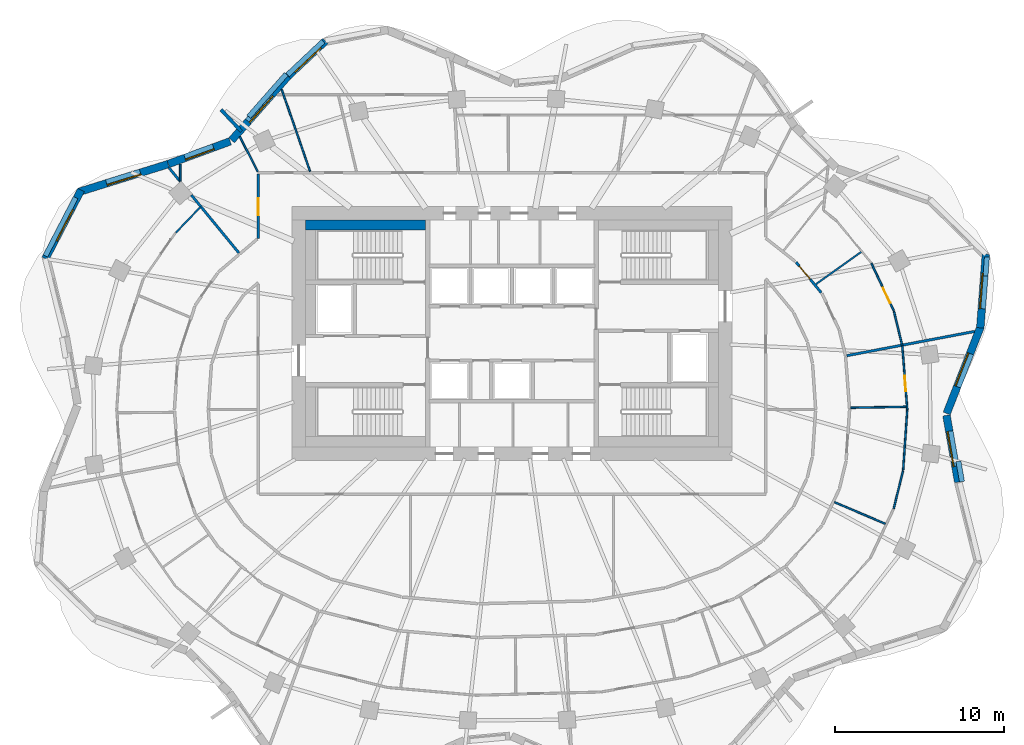
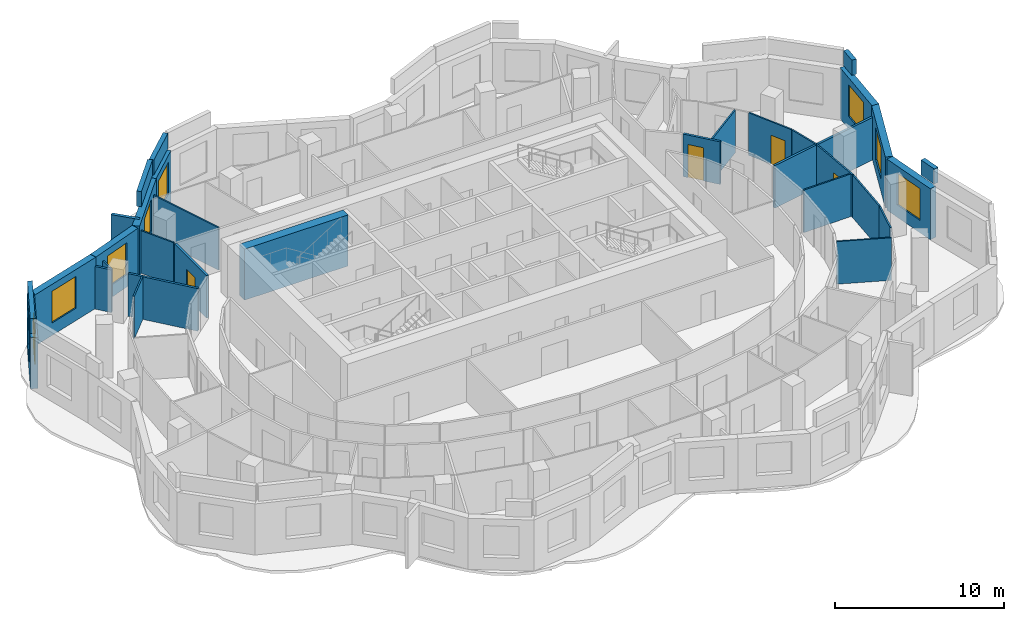
# One storey, part 8 of 11: 32 walls, 8 windows, 4 doors, 12 openings.
"""IFC4 building model written with IfcOpenShell, lengths in metres."""

from ifc_helpers import new_model, si_unit, direction, frame, frame_2d, origin, place, context, subcontext, project, spatial, rectangle, extrude, material, layer, layer_set, type_object, element, fill, save


model = new_model("IFC4")

# Units and contexts
model_context = context("Model", 3, precision=1e-05, world=origin(), true_north=direction((0.0, 1.0)))
body_context = subcontext(model_context, "Body", "Model", "MODEL_VIEW")
ifc_project = project(units=[si_unit("LENGTHUNIT", "METRE"), si_unit("AREAUNIT", "SQUARE_METRE"), si_unit("VOLUMEUNIT", "CUBIC_METRE"), si_unit("PLANEANGLEUNIT", "RADIAN"), si_unit("MASSUNIT", "GRAM", prefix="KILO")], contexts=[model_context])

# Site, building, storey
site_placement = place(None, origin())
site = spatial("IfcSite", under=ifc_project, at=site_placement, CompositionType="ELEMENT")
building_placement = place(site_placement, origin())
building = spatial("IfcBuilding", under=site, at=building_placement, Name="Rubra Terraces Tower", CompositionType="ELEMENT")
storey_placement = place(building_placement, frame((0.0, 0.0, 197.39990234375)))
storey = spatial("IfcBuildingStorey", under=building, at=storey_placement, Name="L48", CompositionType="ELEMENT", Elevation=197.39990234375)

# Wall, opening, window
ifc_material_1 = material(Name="Brick masonry red-brown", Category="masonry")
ifc_layer_1 = layer(ifc_material_1, 0.449951171875)
ifc_layer_set_1 = layer_set([ifc_layer_1], Name="Brick masonry red-brown")
wall_type_1 = type_object("IfcWallType", Name="Brick facade wall 450", PredefinedType="SOLIDWALL", material=ifc_layer_set_1)
wall_1_placement = place(storey_placement, frame((25.68701171875, -0.226318359375, 0.0), z_axis=(0.0, 0.0, 1.0), x_axis=(0.363500194409, 0.931594122279, 0.0)))
wall_1 = element("IfcWall", 1, at=wall_1_placement, inside=storey, type_object=wall_type_1, Name="Facade wall L48 bay 1", PredefinedType="SOLIDWALL", context=body_context, shape_type="SweptSolid", body=[
    extrude(rectangle(XDim=5.498779296875, YDim=0.449951171875, at=frame_2d((2.74951171875, 0.0))), origin(), (0.0, 0.0, 1.0), 3.7001953125),
])
opening_1_placement = place(wall_1_placement, frame((1.69921875, 0.0, 0.89990234375)))
opening_1 = element("IfcOpeningElement", 2, at=opening_1_placement, cuts=wall_1, Name="Opening W1B", PredefinedType="OPENING", context=body_context, shape_type="SweptSolid", body=[
    extrude(rectangle(XDim=2.10009765625, YDim=2.300048828125, at=frame_2d((1.050048828125, 1.14990234375))), frame((0.0, 0.23486328125, 0.0), z_axis=(0.0, -1.0, 0.0), x_axis=(1.0, 0.0, 0.0)), (0.0, 0.0, 1.0), 0.469970703125),
])
ifc_material_2 = material(Name="Clear glass in aluminium frame", Category="aluminium")
window_type_1 = type_object("IfcWindowType", Name="Fixed deep-set window tall storey 2100 x 2300", PartitioningType="SINGLE_PANEL", PredefinedType="WINDOW", material=ifc_material_2)
window_1_placement = place(opening_1_placement, origin())
window_1 = element("IfcWindow", 3, at=window_1_placement, inside=storey, type_object=window_type_1, Name="Window L48 bay 1", OverallHeight=2.300048828125, OverallWidth=2.10009765625, PartitioningType="SINGLE_PANEL", PredefinedType="WINDOW", context=body_context, shape_type="SweptSolid", body=[
    extrude(rectangle(XDim=2.10009765625, YDim=2.300048828125, at=frame_2d((1.050048828125, 1.14990234375))), frame((0.0, 0.135009765625, 0.0), z_axis=(0.0, -1.0, 0.0), x_axis=(1.0, 0.0, 0.0)), (0.0, 0.0, 1.0), 0.06005859375),
])
fill(opening_1, window_1)

wall_2_placement = place(storey_placement, frame((27.671142578125, 4.831298828125, 0.0), z_axis=(0.0, 0.0, 1.0), x_axis=(0.075658122047, 0.997133816781, 0.0)))
wall_2 = element("IfcWall", 4, at=wall_2_placement, inside=storey, type_object=wall_type_1, Name="Facade wall L48 bay 2", PredefinedType="SOLIDWALL", context=body_context, shape_type="SweptSolid", body=[
    extrude(rectangle(XDim=4.369140625, YDim=0.449951171875, at=frame_2d((2.1845703125, 0.0))), origin(), (0.0, 0.0, 1.0), 3.7001953125),
])
opening_2_placement = place(wall_2_placement, frame((1.134521484375, 0.0, 0.89990234375)))
opening_2 = element("IfcOpeningElement", 5, at=opening_2_placement, cuts=wall_2, Name="Opening W1B", PredefinedType="OPENING", context=body_context, shape_type="SweptSolid", body=[
    extrude(rectangle(XDim=2.10009765625, YDim=2.300048828125, at=frame_2d((1.050048828125, 1.14990234375))), frame((0.0, 0.23486328125, 0.0), z_axis=(0.0, -1.0, 0.0), x_axis=(1.0, 0.0, 0.0)), (0.0, 0.0, 1.0), 0.469970703125),
])
window_2_placement = place(opening_2_placement, origin())
window_2 = element("IfcWindow", 6, at=window_2_placement, inside=storey, type_object=window_type_1, Name="Window L48 bay 2", OverallHeight=2.300048828125, OverallWidth=2.10009765625, PartitioningType="SINGLE_PANEL", PredefinedType="WINDOW", context=body_context, shape_type="SweptSolid", body=[
    extrude(rectangle(XDim=2.10009765625, YDim=2.300048828125, at=frame_2d((1.050048828125, 1.14990234375))), frame((0.0, 0.135009765625, 0.0), z_axis=(0.0, -1.0, 0.0), x_axis=(1.0, 0.0, 0.0)), (0.0, 0.0, 1.0), 0.06005859375),
])
fill(opening_2, window_2)

wall_3_placement = place(storey_placement, frame((-11.027099609375, 21.779052734375, 0.0), z_axis=(0.0, 0.0, 1.0), x_axis=(-0.728871214251, -0.684650825631, 0.0)))
wall_3 = element("IfcWall", 7, at=wall_3_placement, inside=storey, type_object=wall_type_1, Name="Facade wall L48 bay 14", PredefinedType="SOLIDWALL", context=body_context, shape_type="SweptSolid", body=[
    extrude(rectangle(XDim=3.031005859375, YDim=0.449951171875, at=frame_2d((1.515625, 0.0))), origin(), (0.0, 0.0, 1.0), 3.7001953125),
])
opening_3_placement = place(wall_3_placement, frame((0.465576171875, 0.0, 0.89990234375)))
opening_3 = element("IfcOpeningElement", 8, at=opening_3_placement, cuts=wall_3, Name="Opening W1B", PredefinedType="OPENING", context=body_context, shape_type="SweptSolid", body=[
    extrude(rectangle(XDim=2.10009765625, YDim=2.300048828125, at=frame_2d((1.050048828125, 1.14990234375))), frame((0.0, 0.23486328125, 0.0), z_axis=(0.0, -1.0, 0.0), x_axis=(1.0, 0.0, 0.0)), (0.0, 0.0, 1.0), 0.469970703125),
])
window_3_placement = place(opening_3_placement, origin())
window_3 = element("IfcWindow", 9, at=window_3_placement, inside=storey, type_object=window_type_1, Name="Window L48 bay 14", OverallHeight=2.300048828125, OverallWidth=2.10009765625, PartitioningType="SINGLE_PANEL", PredefinedType="WINDOW", context=body_context, shape_type="SweptSolid", body=[
    extrude(rectangle(XDim=2.10009765625, YDim=2.300048828125, at=frame_2d((1.050048828125, 1.14990234375))), frame((0.0, 0.135009765625, 0.0), z_axis=(0.0, -1.0, 0.0), x_axis=(1.0, 0.0, 0.0)), (0.0, 0.0, 1.0), 0.06005859375),
])
fill(opening_3, window_3)

wall_4_placement = place(storey_placement, frame((-13.221435546875, 19.71923828125, 0.0), z_axis=(0.0, 0.0, 1.0), x_axis=(-0.660424908916, -0.750892095899, 0.0)))
wall_4 = element("IfcWall", 10, at=wall_4_placement, inside=storey, type_object=wall_type_1, Name="Facade wall L48 bay 15", PredefinedType="SOLIDWALL", context=body_context, shape_type="SweptSolid", body=[
    extrude(rectangle(XDim=5.07080078125, YDim=0.449951171875, at=frame_2d((2.535400390625, 0.0))), origin(), (0.0, 0.0, 1.0), 3.7001953125),
])
opening_4_placement = place(wall_4_placement, frame((1.4853515625, 0.0, 0.89990234375)))
opening_4 = element("IfcOpeningElement", 11, at=opening_4_placement, cuts=wall_4, Name="Opening W1B", PredefinedType="OPENING", context=body_context, shape_type="SweptSolid", body=[
    extrude(rectangle(XDim=2.10009765625, YDim=2.300048828125, at=frame_2d((1.050048828125, 1.14990234375))), frame((0.0, 0.23486328125, 0.0), z_axis=(0.0, -1.0, 0.0), x_axis=(1.0, 0.0, 0.0)), (0.0, 0.0, 1.0), 0.469970703125),
])
window_4_placement = place(opening_4_placement, origin())
window_4 = element("IfcWindow", 12, at=window_4_placement, inside=storey, type_object=window_type_1, Name="Window L48 bay 15", OverallHeight=2.300048828125, OverallWidth=2.10009765625, PartitioningType="SINGLE_PANEL", PredefinedType="WINDOW", context=body_context, shape_type="SweptSolid", body=[
    extrude(rectangle(XDim=2.10009765625, YDim=2.300048828125, at=frame_2d((1.050048828125, 1.14990234375))), frame((0.0, 0.135009765625, 0.0), z_axis=(0.0, -1.0, 0.0), x_axis=(1.0, 0.0, 0.0)), (0.0, 0.0, 1.0), 0.06005859375),
])
fill(opening_4, window_4)

wall_5_placement = place(storey_placement, frame((-16.654052734375, 15.85205078125, 0.0), z_axis=(0.0, 0.0, 1.0), x_axis=(-0.938636568132, -0.344907803572, 0.0)))
wall_5 = element("IfcWall", 13, at=wall_5_placement, inside=storey, type_object=wall_type_1, Name="Facade wall L48 bay 16", PredefinedType="SOLIDWALL", context=body_context, shape_type="SweptSolid", body=[
    extrude(rectangle(XDim=3.887451171875, YDim=0.449951171875, at=frame_2d((1.94384765625, 0.0))), origin(), (0.0, 0.0, 1.0), 3.7001953125),
])
opening_5_placement = place(wall_5_placement, frame((1.043701171875, 0.0, 0.89990234375)))
opening_5 = element("IfcOpeningElement", 14, at=opening_5_placement, cuts=wall_5, Name="Opening W6B", PredefinedType="OPENING", context=body_context, shape_type="SweptSolid", body=[
    extrude(rectangle(XDim=1.800048828125, YDim=2.300048828125, at=frame_2d((0.89990234375, 1.14990234375))), frame((0.0, 0.23486328125, 0.0), z_axis=(0.0, -1.0, 0.0), x_axis=(1.0, 0.0, 0.0)), (0.0, 0.0, 1.0), 0.469970703125),
])
window_type_2 = type_object("IfcWindowType", Name="Fixed deep-set window at wind fin tall storey 1800 x 2300", PartitioningType="SINGLE_PANEL", PredefinedType="WINDOW", material=ifc_material_2)
window_5_placement = place(opening_5_placement, origin())
window_5 = element("IfcWindow", 15, at=window_5_placement, inside=storey, type_object=window_type_2, Name="Window L48 bay 16", OverallHeight=2.300048828125, OverallWidth=1.800048828125, PartitioningType="SINGLE_PANEL", PredefinedType="WINDOW", context=body_context, shape_type="SweptSolid", body=[
    extrude(rectangle(XDim=1.800048828125, YDim=2.300048828125, at=frame_2d((0.89990234375, 1.14990234375))), frame((0.0, 0.135009765625, 0.0), z_axis=(0.0, -1.0, 0.0), x_axis=(1.0, 0.0, 0.0)), (0.0, 0.0, 1.0), 0.06005859375),
])
fill(opening_5, window_5)

wall_6_placement = place(storey_placement, frame((-20.31591796875, 14.506591796875, 0.0), z_axis=(0.0, 0.0, 1.0), x_axis=(-0.954807195185, -0.297225873743, 0.0)))
wall_6 = element("IfcWall", 16, at=wall_6_placement, inside=storey, type_object=wall_type_1, Name="Facade wall L48 bay 17", PredefinedType="SOLIDWALL", context=body_context, shape_type="SweptSolid", body=[
    extrude(rectangle(XDim=5.5263671875, YDim=0.449951171875, at=frame_2d((2.76318359375, 0.0))), origin(), (0.0, 0.0, 1.0), 3.7001953125),
])
opening_6_placement = place(wall_6_placement, frame((1.713134765625, 0.0, 0.89990234375)))
opening_6 = element("IfcOpeningElement", 17, at=opening_6_placement, cuts=wall_6, Name="Opening W1B", PredefinedType="OPENING", context=body_context, shape_type="SweptSolid", body=[
    extrude(rectangle(XDim=2.10009765625, YDim=2.300048828125, at=frame_2d((1.050048828125, 1.14990234375))), frame((0.0, 0.23486328125, 0.0), z_axis=(0.0, -1.0, 0.0), x_axis=(1.0, 0.0, 0.0)), (0.0, 0.0, 1.0), 0.469970703125),
])
window_6_placement = place(opening_6_placement, origin())
window_6 = element("IfcWindow", 18, at=window_6_placement, inside=storey, type_object=window_type_1, Name="Window L48 bay 17", OverallHeight=2.300048828125, OverallWidth=2.10009765625, PartitioningType="SINGLE_PANEL", PredefinedType="WINDOW", context=body_context, shape_type="SweptSolid", body=[
    extrude(rectangle(XDim=2.10009765625, YDim=2.300048828125, at=frame_2d((1.050048828125, 1.14990234375))), frame((0.0, 0.135009765625, 0.0), z_axis=(0.0, -1.0, 0.0), x_axis=(1.0, 0.0, 0.0)), (0.0, 0.0, 1.0), 0.06005859375),
])
fill(opening_6, window_6)

wall_7_placement = place(storey_placement, frame((-25.46533203125, 12.97314453125, 0.0), z_axis=(0.0, 0.0, 1.0), x_axis=(-0.461288789222, -0.887250050965, 0.0)))
wall_7 = element("IfcWall", 19, at=wall_7_placement, inside=storey, type_object=wall_type_1, Name="Facade wall L48 bay 18", PredefinedType="SOLIDWALL", context=body_context, shape_type="SweptSolid", body=[
    extrude(rectangle(XDim=4.568115234375, YDim=0.449951171875, at=frame_2d((2.2841796875, 0.0))), origin(), (0.0, 0.0, 1.0), 3.7001953125),
])
opening_7_placement = place(wall_7_placement, frame((1.23388671875, 0.0, 0.89990234375)))
opening_7 = element("IfcOpeningElement", 20, at=opening_7_placement, cuts=wall_7, Name="Opening W1B", PredefinedType="OPENING", context=body_context, shape_type="SweptSolid", body=[
    extrude(rectangle(XDim=2.10009765625, YDim=2.300048828125, at=frame_2d((1.050048828125, 1.14990234375))), frame((0.0, 0.23486328125, 0.0), z_axis=(0.0, -1.0, 0.0), x_axis=(1.0, 0.0, 0.0)), (0.0, 0.0, 1.0), 0.469970703125),
])
window_7_placement = place(opening_7_placement, origin())
window_7 = element("IfcWindow", 21, at=window_7_placement, inside=storey, type_object=window_type_1, Name="Window L48 bay 18", OverallHeight=2.300048828125, OverallWidth=2.10009765625, PartitioningType="SINGLE_PANEL", PredefinedType="WINDOW", context=body_context, shape_type="SweptSolid", body=[
    extrude(rectangle(XDim=2.10009765625, YDim=2.300048828125, at=frame_2d((1.050048828125, 1.14990234375))), frame((0.0, 0.135009765625, 0.0), z_axis=(0.0, -1.0, 0.0), x_axis=(1.0, 0.0, 0.0)), (0.0, 0.0, 1.0), 0.06005859375),
])
fill(opening_7, window_7)

wall_8_placement = place(storey_placement, frame((26.3662109375, -4.28466796875, 0.0), z_axis=(0.0, 0.0, 1.0), x_axis=(-0.172902168926, 0.984939003178, 0.0)))
wall_8 = element("IfcWall", 22, at=wall_8_placement, inside=storey, type_object=wall_type_1, Name="Facade wall L48 bay 40", PredefinedType="SOLIDWALL", context=body_context, shape_type="SweptSolid", body=[
    extrude(rectangle(XDim=4.005859375, YDim=0.449951171875, at=frame_2d((2.0029296875, 0.0))), origin(), (0.0, 0.0, 1.0), 3.7001953125),
])
opening_8_placement = place(wall_8_placement, frame((0.952880859375, 0.0, 0.89990234375)))
opening_8 = element("IfcOpeningElement", 23, at=opening_8_placement, cuts=wall_8, Name="Opening W1B", PredefinedType="OPENING", context=body_context, shape_type="SweptSolid", body=[
    extrude(rectangle(XDim=2.10009765625, YDim=2.300048828125, at=frame_2d((1.050048828125, 1.14990234375))), frame((0.0, 0.23486328125, 0.0), z_axis=(0.0, -1.0, 0.0), x_axis=(1.0, 0.0, 0.0)), (0.0, 0.0, 1.0), 0.469970703125),
])
window_8_placement = place(opening_8_placement, origin())
window_8 = element("IfcWindow", 24, at=window_8_placement, inside=storey, type_object=window_type_1, Name="Window L48 bay 40", OverallHeight=2.300048828125, OverallWidth=2.10009765625, PartitioningType="SINGLE_PANEL", PredefinedType="WINDOW", context=body_context, shape_type="SweptSolid", body=[
    extrude(rectangle(XDim=2.10009765625, YDim=2.300048828125, at=frame_2d((1.050048828125, 1.14990234375))), frame((0.0, 0.135009765625, 0.0), z_axis=(0.0, -1.0, 0.0), x_axis=(1.0, 0.0, 0.0)), (0.0, 0.0, 1.0), 0.06005859375),
])
fill(opening_8, window_8)

# Walls
ifc_layer_2 = layer(ifc_material_1, 0.300048828125)
ifc_layer_set_2 = layer_set([ifc_layer_2], Name="Brick masonry red-brown")
wall_type_2 = type_object("IfcWallType", Name="Brick parapet 300", PredefinedType="PARAPET", material=ifc_layer_set_2)
wall_9_placement = place(storey_placement, frame((27.978515625, 7.892333984375, 3.900146484375), z_axis=(0.0, 0.0, 1.0), x_axis=(0.075750382553, 0.997126812167, 0.0)))
element("IfcWall", 25, at=wall_9_placement, inside=storey, type_object=wall_type_2, Name="Parapet L48 bay 2", PredefinedType="PARAPET", context=body_context, shape_type="SweptSolid", body=[
    extrude(rectangle(XDim=1.124755859375, YDim=0.300048828125, at=frame_2d((0.5625, 0.0))), origin(), (0.0, 0.0, 1.0), 1.099853515625),
])
wall_10_placement = place(storey_placement, frame((-11.163818359375, 21.75341796875, 3.900146484375), z_axis=(0.0, 0.0, 1.0), x_axis=(-0.72886475222, -0.684657704967, 0.0)))
element("IfcWall", 26, at=wall_10_placement, inside=storey, type_object=wall_type_2, Name="Parapet L48 bay 14", PredefinedType="PARAPET", context=body_context, shape_type="SweptSolid", body=[
    extrude(rectangle(XDim=2.877197265625, YDim=0.300048828125, at=frame_2d((1.4384765625, 0.0))), origin(), (0.0, 0.0, 1.0), 1.099853515625),
])
wall_11_placement = place(storey_placement, frame((-13.338623046875, 19.822265625, 3.900146484375), z_axis=(0.0, 0.0, 1.0), x_axis=(-0.660445690116, -0.7508738179, 0.0)))
element("IfcWall", 27, at=wall_11_placement, inside=storey, type_object=wall_type_2, Name="Parapet L48 bay 15", PredefinedType="PARAPET", context=body_context, shape_type="SweptSolid", body=[
    extrude(rectangle(XDim=3.353271484375, YDim=0.300048828125, at=frame_2d((1.6767578125, 0.0))), origin(), (0.0, 0.0, 1.0), 1.099853515625),
])
wall_12_placement = place(storey_placement, frame((-25.781982421875, 12.52685546875, 3.900146484375), z_axis=(0.0, 0.0, 1.0), x_axis=(-0.461218103562, -0.88728679746, 0.0)))
element("IfcWall", 28, at=wall_12_placement, inside=storey, type_object=wall_type_2, Name="Parapet L48 bay 18", PredefinedType="PARAPET", context=body_context, shape_type="SweptSolid", body=[
    extrude(rectangle(XDim=3.8828125, YDim=0.300048828125, at=frame_2d((1.94140625, 0.0))), origin(), (0.0, 0.0, 1.0), 1.099853515625),
])
wall_13_placement = place(storey_placement, frame((26.589111328125, -4.253662109375, 3.900146484375), z_axis=(0.0, 0.0, 1.0), x_axis=(-0.172857566704, 0.984946831881, 0.0)))
element("IfcWall", 29, at=wall_13_placement, inside=storey, type_object=wall_type_2, Name="Parapet L48 bay 40", PredefinedType="PARAPET", context=body_context, shape_type="SweptSolid", body=[
    extrude(rectangle(XDim=1.216064453125, YDim=0.300048828125, at=frame_2d((0.60791015625, 0.0))), origin(), (0.0, 0.0, 1.0), 1.099853515625),
])
ifc_layer_3 = layer(ifc_material_1, 0.199951171875)
ifc_layer_set_3 = layer_set([ifc_layer_3], Name="Brick masonry red-brown")
wall_type_3 = type_object("IfcWallType", Name="Brick wind fin 200", PredefinedType="SOLIDWALL", material=ifc_layer_set_3)
wall_14_placement = place(storey_placement, frame((-15.9951171875, 16.444091796875, 0.0), z_axis=(0.0, 0.0, 1.0), x_axis=(-0.683852936488, 0.729619874494, 0.0)))
element("IfcWall", 30, at=wall_14_placement, inside=storey, type_object=wall_type_3, Name="Wind fin L48 9", PredefinedType="SOLIDWALL", context=body_context, shape_type="SweptSolid", body=[
    extrude(rectangle(XDim=1.749755859375, YDim=0.199951171875, at=frame_2d((0.875, 0.0))), origin(), (0.0, 0.0, 1.0), 3.7001953125),
])

# Wall, opening, door
ifc_material_3 = material(Name="Plasterboard on steel stud, mineral wool infill", Category="steel")
ifc_layer_4 = layer(ifc_material_3, 0.14990234375)
ifc_layer_set_4 = layer_set([ifc_layer_4], Name="Plasterboard on steel stud, mineral wool infill")
wall_type_4 = type_object("IfcWallType", Name="CORRIDOR PARTITION 150", PredefinedType="PARTITIONING", material=ifc_layer_set_4)
wall_15_placement = place(storey_placement, frame((18.273193359375, 6.9091796875, 0.0), z_axis=(0.0, 0.0, 1.0), x_axis=(-0.63653648943, 0.771246586783, 0.0)))
wall_15 = element("IfcWall", 31, at=wall_15_placement, inside=storey, type_object=wall_type_4, Name="PARTITION", PredefinedType="PARTITIONING", context=body_context, shape_type="SweptSolid", body=[
    extrude(rectangle(XDim=2.341552734375, YDim=0.14990234375, at=frame_2d((1.1708984375, 0.0))), origin(), (0.0, 0.0, 1.0), 3.083984375),
])
opening_9_placement = place(wall_15_placement, frame((1.041015625, 0.0, 0.0)))
opening_9 = element("IfcOpeningElement", 32, at=opening_9_placement, cuts=wall_15, Name="Opening 48-102", PredefinedType="OPENING", context=body_context, shape_type="SweptSolid", body=[
    extrude(rectangle(XDim=1.0, YDim=2.39990234375, at=frame_2d((0.5, 1.199951171875))), frame((0.0, 0.0849609375, 0.0), z_axis=(0.0, -1.0, 0.0), x_axis=(1.0, 0.0, 0.0)), (0.0, 0.0, 1.0), 0.169921875),
])
ifc_material_4 = material(Name="Glazed aluminium meeting door leaf", Category="aluminium")
door_type_1 = type_object("IfcDoorType", Name="MEETING ROOM GLAZED DOOR 1000 X 2400", OperationType="SINGLE_SWING_LEFT", PredefinedType="DOOR", material=ifc_material_4)
door_1_placement = place(opening_9_placement, origin())
door_1 = element("IfcDoor", 33, at=door_1_placement, inside=storey, type_object=door_type_1, Name="DOOR 48-102", OperationType="SINGLE_SWING_RIGHT", OverallHeight=2.39990234375, OverallWidth=1.0, PredefinedType="DOOR", context=body_context, shape_type="SweptSolid", body=[
    extrude(rectangle(XDim=1.0, YDim=2.39990234375, at=frame_2d((0.5, 1.199951171875))), frame((0.0, 0.02490234375, 0.0), z_axis=(0.0, -1.0, 0.0), x_axis=(1.0, 0.0, 0.0)), (0.0, 0.0, 1.0), 0.050048828125),
])
fill(opening_9, door_1)

wall_16_placement = place(storey_placement, frame((-15.0, 13.925048828125, 0.0), z_axis=(0.0, 0.0, 1.0), x_axis=(0.0, -1.0, 0.0)))
wall_16 = element("IfcWall", 34, at=wall_16_placement, inside=storey, type_object=wall_type_4, Name="PARTITION", PredefinedType="PARTITIONING", context=body_context, shape_type="SweptSolid", body=[
    extrude(rectangle(XDim=3.803466796875, YDim=0.14990234375, at=frame_2d((1.90185546875, 0.0))), origin(), (0.0, 0.0, 1.0), 3.083984375),
])
opening_10_placement = place(wall_16_placement, frame((1.449951171875, 0.0, 0.0)))
opening_10 = element("IfcOpeningElement", 35, at=opening_10_placement, cuts=wall_16, Name="Opening 48-142", PredefinedType="OPENING", context=body_context, shape_type="SweptSolid", body=[
    extrude(rectangle(XDim=1.0, YDim=2.10009765625, at=frame_2d((0.5, 1.050048828125))), frame((0.0, 0.0849609375, 0.0), z_axis=(0.0, -1.0, 0.0), x_axis=(1.0, 0.0, 0.0)), (0.0, 0.0, 1.0), 0.169921875),
])
ifc_material_5 = material(Name="Painted timber door leaf", Category="wood")
door_type_2 = type_object("IfcDoorType", Name="ROOM DOOR 1000 X 2100", OperationType="SINGLE_SWING_LEFT", PredefinedType="DOOR", material=ifc_material_5)
door_2_placement = place(opening_10_placement, origin())
door_2 = element("IfcDoor", 36, at=door_2_placement, inside=storey, type_object=door_type_2, Name="DOOR 48-142", OperationType="SINGLE_SWING_RIGHT", OverallHeight=2.10009765625, OverallWidth=1.0, PredefinedType="DOOR", context=body_context, shape_type="SweptSolid", body=[
    extrude(rectangle(XDim=1.0, YDim=2.10009765625, at=frame_2d((0.5, 1.050048828125))), frame((0.0, 0.02490234375, 0.0), z_axis=(0.0, -1.0, 0.0), x_axis=(1.0, 0.0, 0.0)), (0.0, 0.0, 1.0), 0.050048828125),
])
fill(opening_10, door_2)

# Wall
ifc_material_6 = material(Name="Concrete C40", Category="concrete")
ifc_layer_5 = layer(ifc_material_6, 0.60009765625)
ifc_layer_set_5 = layer_set([ifc_layer_5], Name="Concrete C40")
wall_type_5 = type_object("IfcWallType", Name="Core lining wall 600 concrete", PredefinedType="SOLIDWALL", material=ifc_layer_set_5)
wall_17_placement = place(storey_placement, frame((-12.199951171875, 10.89990234375, 0.0), z_axis=(0.0, 0.0, 1.0), x_axis=(1.0, 0.0, 0.0)))
element("IfcWall", 37, at=wall_17_placement, inside=storey, type_object=wall_type_5, Name="CORE LINING WALL L48", PredefinedType="SOLIDWALL", context=body_context, shape_type="SweptSolid", body=[
    extrude(rectangle(XDim=7.099853515625, YDim=0.60009765625, at=frame_2d((3.5498046875, 0.0))), origin(), (0.0, 0.0, 1.0), 3.7001953125),
])

# Wall, opening, door
ifc_material_7 = material(Name="Plasterboard on steel stud", Category="steel")
ifc_layer_6 = layer(ifc_material_7, 0.10009765625)
ifc_layer_set_6 = layer_set([ifc_layer_6], Name="Plasterboard on steel stud")
wall_type_6 = type_object("IfcWallType", Name="ROOM PARTITION 100", PredefinedType="PARTITIONING", material=ifc_layer_set_6)
wall_18_placement = place(storey_placement, frame((21.233642578125, 8.644287109375, 0.0), z_axis=(0.0, 0.0, 1.0), x_axis=(0.428147386965, -0.903708921631, 0.0)))
wall_18 = element("IfcWall", 38, at=wall_18_placement, inside=storey, type_object=wall_type_6, Name="PARTITION", PredefinedType="PARTITIONING", context=body_context, shape_type="SweptSolid", body=[
    extrude(rectangle(XDim=3.0947265625, YDim=0.10009765625, at=frame_2d((1.54736328125, 0.0))), origin(), (0.0, 0.0, 1.0), 3.083984375),
])
opening_11_placement = place(wall_18_placement, frame((1.60009765625, 0.0, 0.0)))
opening_11 = element("IfcOpeningElement", 39, at=opening_11_placement, cuts=wall_18, Name="Opening 48-101", PredefinedType="OPENING", context=body_context, shape_type="SweptSolid", body=[
    extrude(rectangle(XDim=1.0, YDim=2.10009765625, at=frame_2d((0.5, 1.050048828125))), frame((0.0, 0.06005859375, 0.0), z_axis=(0.0, -1.0, 0.0), x_axis=(1.0, 0.0, 0.0)), (0.0, 0.0, 1.0), 0.1201171875),
])
door_3_placement = place(opening_11_placement, origin())
door_3 = element("IfcDoor", 40, at=door_3_placement, inside=storey, type_object=door_type_2, Name="DOOR 48-101", OperationType="SINGLE_SWING_LEFT", OverallHeight=2.10009765625, OverallWidth=1.0, PredefinedType="DOOR", context=body_context, shape_type="SweptSolid", body=[
    extrude(rectangle(XDim=1.0, YDim=2.10009765625, at=frame_2d((0.5, 1.050048828125))), frame((0.0, 0.02490234375, 0.0), z_axis=(0.0, -1.0, 0.0), x_axis=(1.0, 0.0, 0.0)), (0.0, 0.0, 1.0), 0.050048828125),
])
fill(opening_11, door_3)

# Walls
wall_19_placement = place(storey_placement, frame((22.5703125, 5.799072265625, 0.0), z_axis=(0.0, 0.0, 1.0), x_axis=(0.236756773089, -0.971568952981, 0.0)))
element("IfcWall", 41, at=wall_19_placement, inside=storey, type_object=wall_type_6, Name="PARTITION", PredefinedType="PARTITIONING", context=body_context, shape_type="SweptSolid", body=[
    extrude(rectangle(XDim=2.029296875, YDim=0.10009765625, at=frame_2d((1.0146484375, 0.0))), origin(), (0.0, 0.0, 1.0), 3.083984375),
])
wall_20_placement = place(storey_placement, frame((17.957763671875, 7.408935546875, 0.0), z_axis=(0.0, 0.0, 1.0), x_axis=(0.814074945817, 0.58075983211, 0.0)))
element("IfcWall", 42, at=wall_20_placement, inside=storey, type_object=wall_type_6, Name="PARTITION", PredefinedType="PARTITIONING", context=body_context, shape_type="SweptSolid", body=[
    extrude(rectangle(XDim=3.28369140625, YDim=0.10009765625, at=frame_2d((1.641845703125, 0.0))), origin(), (0.0, 0.0, 1.0), 3.083984375),
])
wall_21_placement = place(storey_placement, frame((-19.60009765625, 13.506103515625, 0.0), z_axis=(0.0, 0.0, 1.0), x_axis=(0.0, 1.0, 0.0)))
element("IfcWall", 43, at=wall_21_placement, inside=storey, type_object=wall_type_6, Name="PARTITION", PredefinedType="PARTITIONING", context=body_context, shape_type="SweptSolid", body=[
    extrude(rectangle(XDim=1.002685546875, YDim=0.10009765625, at=frame_2d((0.50146484375, 0.0))), origin(), (0.0, 0.0, 1.0), 3.083984375),
])
wall_22_placement = place(storey_placement, frame((-11.9306640625, 14.07080078125, 0.0), z_axis=(0.0, 0.0, 1.0), x_axis=(-0.32676115019, 0.945106952004, 0.0)))
element("IfcWall", 44, at=wall_22_placement, inside=storey, type_object=wall_type_6, Name="PARTITION", PredefinedType="PARTITIONING", context=body_context, shape_type="SweptSolid", body=[
    extrude(rectangle(XDim=5.135986328125, YDim=0.10009765625, at=frame_2d((2.56787109375, 0.0))), origin(), (0.0, 0.0, 1.0), 3.083984375),
])
wall_23_placement = place(storey_placement, frame((-15.025390625, 14.06689453125, 0.0), z_axis=(0.0, 0.0, 1.0), x_axis=(-0.455543812182, 0.890213364977, 0.0)))
element("IfcWall", 45, at=wall_23_placement, inside=storey, type_object=wall_type_6, Name="PARTITION", PredefinedType="PARTITIONING", context=body_context, shape_type="SweptSolid", body=[
    extrude(rectangle(XDim=2.315673828125, YDim=0.10009765625, at=frame_2d((1.15771484375, 0.0))), origin(), (0.0, 0.0, 1.0), 3.083984375),
])
wall_24_placement = place(storey_placement, frame((-19.8564453125, 10.4658203125, 0.0), z_axis=(0.0, 0.0, 1.0), x_axis=(0.692739664865, 0.721187740275, 0.0)))
element("IfcWall", 46, at=wall_24_placement, inside=storey, type_object=wall_type_6, Name="PARTITION", PredefinedType="PARTITIONING", context=body_context, shape_type="SweptSolid", body=[
    extrude(rectangle(XDim=2.1025390625, YDim=0.10009765625, at=frame_2d((1.05126953125, 0.0))), origin(), (0.0, 0.0, 1.0), 3.083984375),
])

# Wall, opening, door
wall_25_placement = place(storey_placement, frame((23.060302734375, 3.78857421875, 0.0), z_axis=(0.0, 0.0, 1.0), x_axis=(0.077993427123, -0.996953873219, 0.0)))
wall_25 = element("IfcWall", 47, at=wall_25_placement, inside=storey, type_object=wall_type_6, Name="PARTITION", PredefinedType="PARTITIONING", context=body_context, shape_type="SweptSolid", body=[
    extrude(rectangle(XDim=3.800048828125, YDim=0.10009765625, at=frame_2d((1.89990234375, 0.0))), origin(), (0.0, 0.0, 1.0), 3.083984375),
])
opening_12_placement = place(wall_25_placement, frame((1.799072265625, 0.0, 0.0)))
opening_12 = element("IfcOpeningElement", 48, at=opening_12_placement, cuts=wall_25, Name="Opening 48-132", PredefinedType="OPENING", context=body_context, shape_type="SweptSolid", body=[
    extrude(rectangle(XDim=0.89990234375, YDim=2.10009765625, at=frame_2d((0.449951171875, 1.050048828125))), frame((0.0, 0.06005859375, 0.0), z_axis=(0.0, -1.0, 0.0), x_axis=(1.0, 0.0, 0.0)), (0.0, 0.0, 1.0), 0.1201171875),
])
door_type_3 = type_object("IfcDoorType", Name="ROOM DOOR 900 X 2100", OperationType="SINGLE_SWING_LEFT", PredefinedType="DOOR", material=ifc_material_5)
door_4_placement = place(opening_12_placement, origin())
door_4 = element("IfcDoor", 49, at=door_4_placement, inside=storey, type_object=door_type_3, Name="DOOR 48-132", OperationType="SINGLE_SWING_LEFT", OverallHeight=2.10009765625, OverallWidth=0.89990234375, PredefinedType="DOOR", context=body_context, shape_type="SweptSolid", body=[
    extrude(rectangle(XDim=0.89990234375, YDim=2.10009765625, at=frame_2d((0.449951171875, 1.050048828125))), frame((0.0, 0.02490234375, 0.0), z_axis=(0.0, -1.0, 0.0), x_axis=(1.0, 0.0, 0.0)), (0.0, 0.0, 1.0), 0.050048828125),
])
fill(opening_12, door_4)

# Walls
wall_26_placement = place(storey_placement, frame((23.353515625, -0.0498046875, 0.0), z_axis=(0.0, 0.0, 1.0), x_axis=(-0.06820679361, -0.99767120501, 0.0)))
element("IfcWall", 50, at=wall_26_placement, inside=storey, type_object=wall_type_6, Name="PARTITION", PredefinedType="PARTITIONING", context=body_context, shape_type="SweptSolid", body=[
    extrude(rectangle(XDim=3.532958984375, YDim=0.10009765625, at=frame_2d((1.7666015625, 0.0))), origin(), (0.0, 0.0, 1.0), 3.083984375),
])
wall_27_placement = place(storey_placement, frame((23.100830078125, -3.623046875, 0.0), z_axis=(0.0, 0.0, 1.0), x_axis=(-0.236811358433, -0.971555649727, 0.0)))
element("IfcWall", 51, at=wall_27_placement, inside=storey, type_object=wall_type_6, Name="PARTITION", PredefinedType="PARTITIONING", context=body_context, shape_type="SweptSolid", body=[
    extrude(rectangle(XDim=2.289794921875, YDim=0.10009765625, at=frame_2d((1.14501953125, 0.0))), origin(), (0.0, 0.0, 1.0), 3.083984375),
])
wall_28_placement = place(storey_placement, frame((19.05712890625, -5.471923828125, 0.0), z_axis=(0.0, 0.0, 1.0), x_axis=(0.920545263458, -0.390635914792, 0.0)))
element("IfcWall", 52, at=wall_28_placement, inside=storey, type_object=wall_type_6, Name="PARTITION", PredefinedType="PARTITIONING", context=body_context, shape_type="SweptSolid", body=[
    extrude(rectangle(XDim=3.278076171875, YDim=0.10009765625, at=frame_2d((1.63916015625, 0.0))), origin(), (0.0, 0.0, 1.0), 3.083984375),
])
wall_29_placement = place(storey_placement, frame((20.016357421875, 0.110595703125, 0.0), z_axis=(0.0, 0.0, 1.0), x_axis=(0.999854678593, 0.017047630214, 0.0)))
element("IfcWall", 53, at=wall_29_placement, inside=storey, type_object=wall_type_6, Name="PARTITION", PredefinedType="PARTITIONING", context=body_context, shape_type="SweptSolid", body=[
    extrude(rectangle(XDim=3.279541015625, YDim=0.10009765625, at=frame_2d((1.6396484375, 0.0))), origin(), (0.0, 0.0, 1.0), 3.083984375),
])
ifc_layer_7 = layer(ifc_material_7, 0.14990234375)
ifc_layer_set_7 = layer_set([ifc_layer_7], Name="Plasterboard on steel stud")
wall_type_7 = type_object("IfcWallType", Name="ROOM PARTITION 150", PredefinedType="PARTITIONING", material=ifc_layer_set_7)
wall_30_placement = place(storey_placement, frame((27.33154296875, 4.618408203125, 0.0), z_axis=(0.0, 0.0, 1.0), x_axis=(-0.982508687951, -0.186216750322, 0.0)))
element("IfcWall", 54, at=wall_30_placement, inside=storey, type_object=wall_type_7, Name="PARTITION", PredefinedType="PARTITIONING", context=body_context, shape_type="SweptSolid", body=[
    extrude(rectangle(XDim=7.681396484375, YDim=0.14990234375, at=frame_2d((3.8408203125, 0.0))), origin(), (0.0, 0.0, 1.0), 3.083984375),
])
wall_31_placement = place(storey_placement, frame((-20.263916015625, 14.28271484375, 0.0), z_axis=(0.0, 0.0, 1.0), x_axis=(0.634834544887, -0.77264810918, 0.0)))
element("IfcWall", 55, at=wall_31_placement, inside=storey, type_object=wall_type_7, Name="PARTITION", PredefinedType="PARTITIONING", context=body_context, shape_type="SweptSolid", body=[
    extrude(rectangle(XDim=1.039794921875, YDim=0.14990234375, at=frame_2d((0.52001953125, 0.0))), origin(), (0.0, 0.0, 1.0), 3.083984375),
])
wall_32_placement = place(storey_placement, frame((-18.943115234375, 12.6748046875, 0.0), z_axis=(0.0, 0.0, 1.0), x_axis=(0.634718238965, -0.772743655507, 0.0)))
element("IfcWall", 56, at=wall_32_placement, inside=storey, type_object=wall_type_7, Name="PARTITION", PredefinedType="PARTITIONING", context=body_context, shape_type="SweptSolid", body=[
    extrude(rectangle(XDim=4.423828125, YDim=0.14990234375, at=frame_2d((2.2119140625, 0.0))), origin(), (0.0, 0.0, 1.0), 3.083984375),
])

save(model, "model.ifc")
